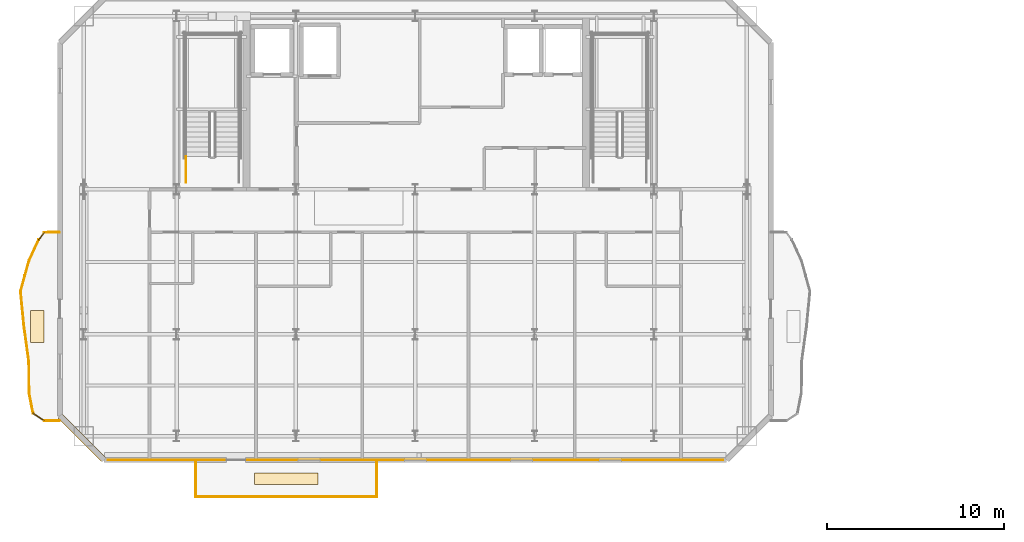
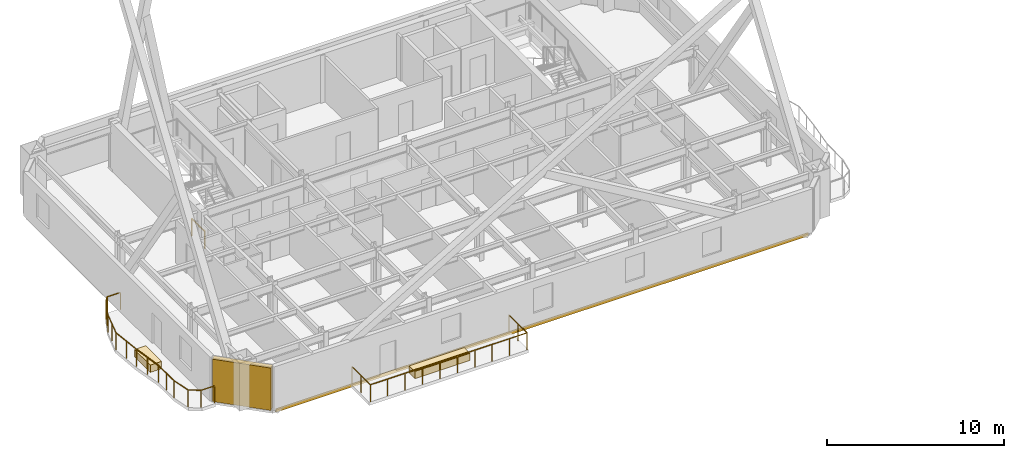
# One storey, part 15 of 19: 14 railings, 3 coverings, 1 shading device.
"""IFC4 building model written with IfcOpenShell, lengths in metres."""

import ifcopenshell
import ifcopenshell.guid

model = None  # the IFC model being written
_history = None  # IfcOwnerHistory: only IFC2X3 demands one
_inside = {}  # id of a spatial element -> (the spatial element, [elements in it])
_under = {}  # id of a project, library or spatial element -> (it, [spatial elements below it])
_declared = {}  # id of a project -> (the project, [libraries it declares])
_typed = {}  # id of a type object -> (the type object, [elements of that type])
_made_of = {}  # id of a material, layer set ... -> (it, [elements and type objects made of it])


def new_model(schema):
    """Start an empty IFC model of exactly this schema.

    Asked for "IFC4X3", IfcOpenShell would pick the latest addendum, in which some entities
    have other attributes; the version numbers below select the first issue.
    IFC2X3 requires an IfcOwnerHistory on every rooted entity: one is made here for all.
    """
    global model, _history
    if schema == "IFC4X3":
        model = ifcopenshell.file(schema_version=(4, 3, 0, 0))
    else:
        model = ifcopenshell.file(schema=schema)
    _inside.clear()
    _under.clear()
    _declared.clear()
    _typed.clear()
    _made_of.clear()
    _history = None
    if model.schema == "IFC2X3":
        org = make("IfcOrganization", Name="unknown")
        user = make(
            "IfcPersonAndOrganization",
            ThePerson=make("IfcPerson", FamilyName="unknown"),
            TheOrganization=org,
        )
        app = make(
            "IfcApplication",
            ApplicationDeveloper=org,
            Version="unknown",
            ApplicationFullName="unknown",
            ApplicationIdentifier="unknown",
        )
        _history = make(
            "IfcOwnerHistory",
            OwningUser=user,
            OwningApplication=app,
            ChangeAction="ADDED",
            CreationDate=0,
        )
    return model


def make(cls, **values):
    """One entity of the class cls with the attributes given. An attribute that is None is left unset."""
    return model.create_entity(
        cls, **{name: value for name, value in values.items() if value is not None}
    )


def rooted(cls, **values):
    """An entity with a GlobalId (a new one), such as an element, a storey or a relation."""
    return make(cls, GlobalId=ifcopenshell.guid.new(), OwnerHistory=_history, **values)


def si_unit(unit_type, name, prefix=None):
    """IfcSIUnit, for example si_unit("LENGTHUNIT", "METRE", prefix="MILLI")."""
    return make("IfcSIUnit", UnitType=unit_type, Prefix=prefix, Name=name)


def assignment(units):
    """IfcUnitAssignment: the units of a project."""
    return None if units is None else make("IfcUnitAssignment", Units=units)


def point(xyz):
    """IfcCartesianPoint."""
    return None if xyz is None else make("IfcCartesianPoint", Coordinates=xyz)


def direction(xyz):
    """IfcDirection."""
    return None if xyz is None else make("IfcDirection", DirectionRatios=xyz)


def frame(location, z_axis=None, x_axis=None):
    """IfcAxis2Placement3D, a coordinate frame: its origin and axes. An axis left out is left unset."""
    return make(
        "IfcAxis2Placement3D",
        Location=point(location),
        Axis=direction(z_axis),
        RefDirection=direction(x_axis),
    )


def frame_2d(location, x_axis=None):
    """IfcAxis2Placement2D, a coordinate frame in the plane: its origin and x axis."""
    return make(
        "IfcAxis2Placement2D", Location=point(location), RefDirection=direction(x_axis)
    )


def origin():
    """The frame at (0, 0, 0) with its axes left unset."""
    return frame((0.0, 0.0, 0.0))


def origin_2d():
    """The frame at (0, 0) in the plane with its x axis left unset."""
    return frame_2d((0.0, 0.0))


def place(relative_to, where):
    """IfcLocalPlacement: puts the frame where relative to a parent placement (None: the world)."""
    return make(
        "IfcLocalPlacement", PlacementRelTo=relative_to, RelativePlacement=where
    )


def context(
    kind, dimensions, precision=None, world=None, true_north=None, identifier=None
):
    """IfcGeometricRepresentationContext, for example the 3D "Model" context."""
    return make(
        "IfcGeometricRepresentationContext",
        ContextIdentifier=identifier,
        ContextType=kind,
        CoordinateSpaceDimension=dimensions,
        Precision=precision,
        WorldCoordinateSystem=world,
        TrueNorth=true_north,
    )


def subcontext(parent, identifier, kind, view, scale=None):
    """IfcGeometricRepresentationSubContext, for example "Body" below "Model"."""
    return make(
        "IfcGeometricRepresentationSubContext",
        ContextIdentifier=identifier,
        ContextType=kind,
        ParentContext=parent,
        TargetScale=scale,
        TargetView=view,
    )


def project(units=None, contexts=None):
    """IfcProject with its units and contexts."""
    return rooted(
        "IfcProject",
        Name="project",
        RepresentationContexts=contexts,
        UnitsInContext=assignment(units),
    )


def spatial(cls, under=None, at=None, **own):
    """A site, building, storey or space (cls), placed at a placement, below another one or the project."""
    s = rooted(cls, ObjectPlacement=at, **own)
    if under is not None:
        _under.setdefault(under.id(), (under, []))[1].append(s)
    return s


def profile(cls, at=None, kind="AREA", **sizes):
    """A parametric profile (cls). Its sizes go by their IFC names, for example OverallWidth=200.0."""
    return make(cls, ProfileType=kind, Position=at, **sizes)


def rectangle(**sizes):
    """IfcRectangleProfileDef."""
    return profile("IfcRectangleProfileDef", **sizes)


def extrude(swept, where, along, depth):
    """IfcExtrudedAreaSolid: the profile swept, set in the frame where, extruded along a direction by depth."""
    return make(
        "IfcExtrudedAreaSolid",
        SweptArea=swept,
        Position=where,
        ExtrudedDirection=direction(along),
        Depth=depth,
    )


def shape(context_of_items, identifier, shape_type, items):
    """IfcShapeRepresentation: the items that make up one representation, for example the "Body"."""
    return make(
        "IfcShapeRepresentation",
        ContextOfItems=context_of_items,
        RepresentationIdentifier=identifier,
        RepresentationType=shape_type,
        Items=items,
    )


def material(Name=None, Category=None):
    """IfcMaterial."""
    return make("IfcMaterial", Name=Name, Category=Category)


def layer(
    of_material, thickness, ventilated=None, Name=None, Category=None, Priority=None
):
    """IfcMaterialLayer: one layer of a wall or slab, of a material (None: an air gap)."""
    return make(
        "IfcMaterialLayer",
        Material=of_material,
        LayerThickness=thickness,
        IsVentilated=ventilated,
        Name=Name,
        Category=Category,
        Priority=Priority,
    )


def layer_set(layers, Name=None):
    """IfcMaterialLayerSet."""
    return make("IfcMaterialLayerSet", MaterialLayers=layers, LayerSetName=Name)


def made_of(thing, what):
    """Note that an element or type object is made of a material, layer set ...; save() writes the relation."""
    if what is not None:
        _made_of.setdefault(what.id(), (what, []))[1].append(thing)
    return thing


def type_object(cls, material=None, **own):
    """A type object (cls), such as IfcWallType, which elements share."""
    return made_of(rooted(cls, **own), material)


def element(
    cls,
    number,
    at=None,
    inside=None,
    cuts=None,
    type_object=None,
    material=None,
    context=None,
    identifier="Body",
    shape_type=None,
    held_by="IfcProductDefinitionShape",
    body=None,
    shapes=None,
    **own,
):
    """One element of the class cls, such as IfcWall. Its Tag is "e" and its number.

    at: its placement. inside: the storey or other place that contains it. cuts: it is an
    opening in that element (IfcRelVoidsElement). A single representation is given by context,
    identifier, shape_type and body (its items); several are given by shapes. held_by: the class
    of the entity that holds the representations. save() writes the other relations.
    """
    e = rooted(cls, Tag="e%d" % number, ObjectPlacement=at, **own)
    if body is not None:
        shapes = [shape(context, identifier, shape_type, body)]
    if shapes is not None:
        e.Representation = make(held_by, Representations=shapes)
    if inside is not None:
        _inside.setdefault(inside.id(), (inside, []))[1].append(e)
    if cuts is not None:
        rooted(
            "IfcRelVoidsElement", RelatingBuildingElement=cuts, RelatedOpeningElement=e
        )
    if type_object is not None:
        _typed.setdefault(type_object.id(), (type_object, []))[1].append(e)
    return made_of(e, material)


def aggregate(whole, parts):
    """IfcRelAggregates: a whole, such as a stair, and the parts it consists of."""
    return rooted("IfcRelAggregates", RelatingObject=whole, RelatedObjects=parts)


def save(model, path):
    """Write the relations noted so far, then the file.

    IfcRelAggregates (storeys below a building ...), IfcRelContainedInSpatialStructure (elements
    in a storey), IfcRelDefinesByType, IfcRelAssociatesMaterial and IfcRelDeclares: one each for
    every whole, place, type object, material and project.
    """
    for whole, parts in _under.values():
        aggregate(whole, parts)
    for where, things in _inside.values():
        rooted(
            "IfcRelContainedInSpatialStructure",
            RelatedElements=things,
            RelatingStructure=where,
        )
    for kind, things in _typed.values():
        rooted("IfcRelDefinesByType", RelatedObjects=things, RelatingType=kind)
    for what, things in _made_of.values():
        rooted("IfcRelAssociatesMaterial", RelatedObjects=things, RelatingMaterial=what)
    for by, libraries in _declared.values():
        rooted("IfcRelDeclares", RelatingContext=by, RelatedDefinitions=libraries)
    model.write(path)


model = new_model("IFC4")

# Units and contexts
model_context = context("Model", 3, precision=1e-05, world=origin(), true_north=direction((0.0, 1.0)))
body_context = subcontext(model_context, "Body", "Model", "MODEL_VIEW")
ifc_project = project(units=[si_unit("LENGTHUNIT", "METRE"), si_unit("AREAUNIT", "SQUARE_METRE"), si_unit("VOLUMEUNIT", "CUBIC_METRE"), si_unit("PLANEANGLEUNIT", "RADIAN"), si_unit("MASSUNIT", "GRAM", prefix="KILO")], contexts=[model_context])

# Site, building, storey
site_placement = place(None, origin())
site = spatial("IfcSite", under=ifc_project, at=site_placement, CompositionType="ELEMENT")
building_placement = place(site_placement, origin())
building = spatial("IfcBuilding", under=site, at=building_placement, Name="Haevon Station Towers", CompositionType="ELEMENT")
storey_placement = place(building_placement, frame((0.0, 0.0, 218.699951171875)))
storey = spatial("IfcBuildingStorey", under=building, at=storey_placement, Name="L60", CompositionType="ELEMENT", Elevation=218.699951171875)

# Covering
ifc_material_1 = material(Name="Anodised aluminium 6063-T6", Category="aluminium")
ifc_layer_1 = layer(ifc_material_1, 0.0400390625)
ifc_layer_set_1 = layer_set([ifc_layer_1], Name="Anodised aluminium 6063-T6")
covering_type_1 = type_object("IfcCoveringType", Name="COV-CLAD40", PredefinedType="CLADDING", material=ifc_layer_set_1)
covering_1_placement = place(storey_placement, frame((37.5, 22.89990234375, -0.23974609375), z_axis=(0.0, 0.0, 1.0), x_axis=(1.0, 0.0, 0.0)))
element("IfcCovering", 1, at=covering_1_placement, inside=storey, type_object=covering_type_1, Name="Tower 1 L60 Spandrel Fascia Cladding", PredefinedType="CLADDING", context=body_context, shape_type="SweptSolid", body=[
    extrude(rectangle(XDim=34.800048828125, YDim=0.0400390625, at=origin_2d()), origin(), (0.0, 0.0, 1.0), 0.239990234375),
])

# Railings
ifc_material_2 = material(Name="Steel S355", Category="steel")
railing_type_1 = type_object("IfcRailingType", Name="GRD-EXT1200", PredefinedType="GUARDRAIL", material=ifc_material_2)
railing_1_placement = place(storey_placement, frame((17.37646484375, 35.772216796875, 0.0)))
element("IfcRailing", 2, at=railing_1_placement, inside=storey, type_object=railing_type_1, Name="L60 Perimeter Guardrail 1", PredefinedType="GUARDRAIL", context=body_context, shape_type="SweptSolid", body=[
    extrude(rectangle(XDim=0.048095703125, YDim=0.048095703125, at=origin_2d()), frame((0.0, 0.0, 1.17578125), z_axis=(-0.999997476494, -0.002246554286, 0.0), x_axis=(0.002246554286, -0.999997476494, 0.0)), (0.0, 0.0, 1.0), 0.869384765625),
    extrude(rectangle(XDim=0.0419921875, YDim=0.0419921875, at=origin_2d()), origin(), (0.0, 0.0, 1.0), 1.15185546875),
    extrude(rectangle(XDim=0.0419921875, YDim=0.0419921875, at=origin_2d()), frame((-0.869384765625, -0.001953125, 0.0)), (0.0, 0.0, 1.0), 1.15185546875),
])
railing_2_placement = place(storey_placement, frame((16.507080078125, 35.770263671875, 0.0)))
element("IfcRailing", 3, at=railing_2_placement, inside=storey, type_object=railing_type_1, Name="L60 Perimeter Guardrail 2", PredefinedType="GUARDRAIL", context=body_context, shape_type="SweptSolid", body=[
    extrude(rectangle(XDim=0.048095703125, YDim=0.048095703125, at=origin_2d()), frame((0.0, 0.0, 1.17578125), z_axis=(-0.587714803792, -0.809068173521, 0.0), x_axis=(0.809068173521, -0.587714803792, 0.0)), (0.0, 0.0, 1.0), 0.508544921875),
    extrude(rectangle(XDim=0.0419921875, YDim=0.0419921875, at=origin_2d()), origin(), (0.0, 0.0, 1.0), 1.15185546875),
    extrude(rectangle(XDim=0.0419921875, YDim=0.0419921875, at=origin_2d()), frame((-0.298828125, -0.411376953125, 0.0)), (0.0, 0.0, 1.0), 1.15185546875),
])
railing_3_placement = place(storey_placement, frame((16.208251953125, 35.35888671875, 0.0)))
element("IfcRailing", 4, at=railing_3_placement, inside=storey, type_object=railing_type_1, Name="L60 Perimeter Guardrail 3", PredefinedType="GUARDRAIL", context=body_context, shape_type="SweptSolid", body=[
    extrude(rectangle(XDim=0.048095703125, YDim=0.048095703125, at=origin_2d()), frame((0.0, 0.0, 1.17578125), z_axis=(-0.423464938521, -0.90591249348, 0.0), x_axis=(0.90591249348, -0.423464938521, 0.0)), (0.0, 0.0, 1.0), 1.29150390625),
    extrude(rectangle(XDim=0.0419921875, YDim=0.0419921875, at=origin_2d()), origin(), (0.0, 0.0, 1.0), 1.15185546875),
    extrude(rectangle(XDim=0.0419921875, YDim=0.0419921875, at=origin_2d()), frame((-0.2734375, -0.5849609375, 0.0)), (0.0, 0.0, 1.0), 1.15185546875),
    extrude(rectangle(XDim=0.0419921875, YDim=0.0419921875, at=origin_2d()), frame((-0.546875, -1.169921875, 0.0)), (0.0, 0.0, 1.0), 1.15185546875),
])
railing_4_placement = place(storey_placement, frame((15.661376953125, 34.18896484375, 0.0)))
element("IfcRailing", 5, at=railing_4_placement, inside=storey, type_object=railing_type_1, Name="L60 Perimeter Guardrail 4", PredefinedType="GUARDRAIL", context=body_context, shape_type="SweptSolid", body=[
    extrude(rectangle(XDim=0.048095703125, YDim=0.048095703125, at=origin_2d()), frame((0.0, 0.0, 1.17578125), z_axis=(-0.266356811872, -0.963874498454, 0.0), x_axis=(0.963874498454, -0.266356811872, 0.0)), (0.0, 0.0, 1.0), 1.810302734375),
    extrude(rectangle(XDim=0.0419921875, YDim=0.0419921875, at=origin_2d()), origin(), (0.0, 0.0, 1.0), 1.15185546875),
    extrude(rectangle(XDim=0.0419921875, YDim=0.0419921875, at=origin_2d()), frame((-0.2412109375, -0.87255859375, 0.0)), (0.0, 0.0, 1.0), 1.15185546875),
    extrude(rectangle(XDim=0.0419921875, YDim=0.0419921875, at=origin_2d()), frame((-0.482177734375, -1.744873046875, 0.0)), (0.0, 0.0, 1.0), 1.15185546875),
])
railing_5_placement = place(storey_placement, frame((15.17919921875, 32.444091796875, 0.0)))
element("IfcRailing", 6, at=railing_5_placement, inside=storey, type_object=railing_type_1, Name="L60 Perimeter Guardrail 5", PredefinedType="GUARDRAIL", context=body_context, shape_type="SweptSolid", body=[
    extrude(rectangle(XDim=0.048095703125, YDim=0.048095703125, at=origin_2d()), frame((0.0, 0.0, 1.17578125), z_axis=(0.097718135752, -0.9952141307, 0.0), x_axis=(0.9952141307, 0.097718135752, 0.0)), (0.0, 0.0, 1.0), 2.003662109375),
    extrude(rectangle(XDim=0.0419921875, YDim=0.0419921875, at=origin_2d()), origin(), (0.0, 0.0, 1.0), 1.15185546875),
    extrude(rectangle(XDim=0.0419921875, YDim=0.0419921875, at=origin_2d()), frame((0.097900390625, -0.9970703125, 0.0)), (0.0, 0.0, 1.0), 1.15185546875),
    extrude(rectangle(XDim=0.0419921875, YDim=0.0419921875, at=origin_2d()), frame((0.19580078125, -1.994140625, 0.0)), (0.0, 0.0, 1.0), 1.15185546875),
])
railing_6_placement = place(storey_placement, frame((15.375, 30.449951171875, 0.0)))
element("IfcRailing", 7, at=railing_6_placement, inside=storey, type_object=railing_type_1, Name="L60 Perimeter Guardrail 6", PredefinedType="GUARDRAIL", context=body_context, shape_type="SweptSolid", body=[
    extrude(rectangle(XDim=0.048095703125, YDim=0.048095703125, at=origin_2d()), frame((0.0, 0.0, 1.17578125), z_axis=(0.136345171369, -0.990661392326, 0.0), x_axis=(0.990661392326, 0.136345171369, 0.0)), (0.0, 0.0, 1.0), 2.00732421875),
    extrude(rectangle(XDim=0.0419921875, YDim=0.0419921875, at=origin_2d()), origin(), (0.0, 0.0, 1.0), 1.15185546875),
    extrude(rectangle(XDim=0.0419921875, YDim=0.0419921875, at=origin_2d()), frame((0.13671875, -0.994140625, 0.0)), (0.0, 0.0, 1.0), 1.15185546875),
    extrude(rectangle(XDim=0.0419921875, YDim=0.0419921875, at=origin_2d()), frame((0.273681640625, -1.988525390625, 0.0)), (0.0, 0.0, 1.0), 1.15185546875),
])
railing_7_placement = place(storey_placement, frame((15.648681640625, 28.46142578125, 0.0)))
element("IfcRailing", 8, at=railing_7_placement, inside=storey, type_object=railing_type_1, Name="L60 Perimeter Guardrail 7", PredefinedType="GUARDRAIL", context=body_context, shape_type="SweptSolid", body=[
    extrude(rectangle(XDim=0.048095703125, YDim=0.048095703125, at=origin_2d()), frame((0.0, 0.0, 1.17578125), z_axis=(0.007252250001, -0.999973702089, 0.0), x_axis=(0.999973702089, 0.007252250001, 0.0)), (0.0, 0.0, 1.0), 1.75048828125),
    extrude(rectangle(XDim=0.0419921875, YDim=0.0419921875, at=origin_2d()), origin(), (0.0, 0.0, 1.0), 1.15185546875),
    extrude(rectangle(XDim=0.0419921875, YDim=0.0419921875, at=origin_2d()), frame((0.00634765625, -0.875244140625, 0.0)), (0.0, 0.0, 1.0), 1.15185546875),
    extrude(rectangle(XDim=0.0419921875, YDim=0.0419921875, at=origin_2d()), frame((0.0126953125, -1.75048828125, 0.0)), (0.0, 0.0, 1.0), 1.15185546875),
])
railing_8_placement = place(storey_placement, frame((15.661376953125, 26.7109375, 0.0)))
element("IfcRailing", 9, at=railing_8_placement, inside=storey, type_object=railing_type_1, Name="L60 Perimeter Guardrail 8", PredefinedType="GUARDRAIL", context=body_context, shape_type="SweptSolid", body=[
    extrude(rectangle(XDim=0.048095703125, YDim=0.048095703125, at=origin_2d()), frame((0.0, 0.0, 1.17578125), z_axis=(0.189926348496, -0.981798340876, 0.0), x_axis=(0.981798340876, 0.189926348496, 0.0)), (0.0, 0.0, 1.0), 1.191650390625),
    extrude(rectangle(XDim=0.0419921875, YDim=0.0419921875, at=origin_2d()), origin(), (0.0, 0.0, 1.0), 1.15185546875),
    extrude(rectangle(XDim=0.0419921875, YDim=0.0419921875, at=origin_2d()), frame((0.226318359375, -1.169921875, 0.0)), (0.0, 0.0, 1.0), 1.15185546875),
])
railing_9_placement = place(storey_placement, frame((15.8876953125, 25.541015625, 0.0)))
element("IfcRailing", 10, at=railing_9_placement, inside=storey, type_object=railing_type_1, Name="L60 Perimeter Guardrail 9", PredefinedType="GUARDRAIL", context=body_context, shape_type="SweptSolid", body=[
    extrude(rectangle(XDim=0.048095703125, YDim=0.048095703125, at=origin_2d()), frame((0.0, 0.0, 1.17578125), z_axis=(0.833160144028, -0.553031802343, 0.0), x_axis=(0.553031802343, 0.833160144028, 0.0)), (0.0, 0.0, 1.0), 0.743408203125),
    extrude(rectangle(XDim=0.0419921875, YDim=0.0419921875, at=origin_2d()), origin(), (0.0, 0.0, 1.0), 1.15185546875),
    extrude(rectangle(XDim=0.0419921875, YDim=0.0419921875, at=origin_2d()), frame((0.619384765625, -0.4111328125, 0.0)), (0.0, 0.0, 1.0), 1.15185546875),
])
railing_10_placement = place(storey_placement, frame((16.507080078125, 25.1298828125, 0.0)))
element("IfcRailing", 11, at=railing_10_placement, inside=storey, type_object=railing_type_1, Name="L60 Perimeter Guardrail 10", PredefinedType="GUARDRAIL", context=body_context, shape_type="SweptSolid", body=[
    extrude(rectangle(XDim=0.048095703125, YDim=0.048095703125, at=origin_2d()), frame((0.0, 0.0, 1.17578125), z_axis=(0.999997476494, -0.002246554286, 0.0), x_axis=(0.002246554286, 0.999997476494, 0.0)), (0.0, 0.0, 1.0), 0.869384765625),
    extrude(rectangle(XDim=0.0419921875, YDim=0.0419921875, at=origin_2d()), origin(), (0.0, 0.0, 1.0), 1.15185546875),
    extrude(rectangle(XDim=0.0419921875, YDim=0.0419921875, at=origin_2d()), frame((0.869384765625, -0.001953125, 0.0)), (0.0, 0.0, 1.0), 1.15185546875),
])
railing_11_placement = place(storey_placement, frame((25.078369140625, 20.81591796875, 0.0)))
element("IfcRailing", 12, at=railing_11_placement, inside=storey, type_object=railing_type_1, Name="L60 Perimeter Guardrail 1", PredefinedType="GUARDRAIL", context=body_context, shape_type="SweptSolid", body=[
    extrude(rectangle(XDim=0.048095703125, YDim=0.048095703125, at=origin_2d()), frame((0.0, 0.0, 1.17578125), z_axis=(1.0, 0.0, 0.0), x_axis=(0.0, 1.0, 0.0)), (0.0, 0.0, 1.0), 10.2431640625),
    extrude(rectangle(XDim=0.0419921875, YDim=0.0419921875, at=origin_2d()), origin(), (0.0, 0.0, 1.0), 1.15185546875),
    extrude(rectangle(XDim=0.0419921875, YDim=0.0419921875, at=origin_2d()), frame((1.13818359375, 0.0, 0.0)), (0.0, 0.0, 1.0), 1.15185546875),
    extrude(rectangle(XDim=0.0419921875, YDim=0.0419921875, at=origin_2d()), frame((2.2763671875, 0.0, 0.0)), (0.0, 0.0, 1.0), 1.15185546875),
    extrude(rectangle(XDim=0.0419921875, YDim=0.0419921875, at=origin_2d()), frame((3.414306640625, 0.0, 0.0)), (0.0, 0.0, 1.0), 1.15185546875),
    extrude(rectangle(XDim=0.0419921875, YDim=0.0419921875, at=origin_2d()), frame((4.552490234375, 0.0, 0.0)), (0.0, 0.0, 1.0), 1.15185546875),
    extrude(rectangle(XDim=0.0419921875, YDim=0.0419921875, at=origin_2d()), frame((5.690673828125, 0.0, 0.0)), (0.0, 0.0, 1.0), 1.15185546875),
    extrude(rectangle(XDim=0.0419921875, YDim=0.0419921875, at=origin_2d()), frame((6.828857421875, 0.0, 0.0)), (0.0, 0.0, 1.0), 1.15185546875),
    extrude(rectangle(XDim=0.0419921875, YDim=0.0419921875, at=origin_2d()), frame((7.966796875, 0.0, 0.0)), (0.0, 0.0, 1.0), 1.15185546875),
    extrude(rectangle(XDim=0.0419921875, YDim=0.0419921875, at=origin_2d()), frame((9.10498046875, 0.0, 0.0)), (0.0, 0.0, 1.0), 1.15185546875),
    extrude(rectangle(XDim=0.0419921875, YDim=0.0419921875, at=origin_2d()), frame((10.2431640625, 0.0, 0.0)), (0.0, 0.0, 1.0), 1.15185546875),
])
railing_12_placement = place(storey_placement, frame((35.321533203125, 20.81591796875, 0.0)))
element("IfcRailing", 13, at=railing_12_placement, inside=storey, type_object=railing_type_1, Name="L60 Perimeter Guardrail 2", PredefinedType="GUARDRAIL", context=body_context, shape_type="SweptSolid", body=[
    extrude(rectangle(XDim=0.048095703125, YDim=0.048095703125, at=origin_2d()), frame((0.0, 0.0, 1.17578125), z_axis=(0.0, 1.0, 0.0), x_axis=(-1.0, 0.0, 0.0)), (0.0, 0.0, 1.0), 2.063232421875),
    extrude(rectangle(XDim=0.0419921875, YDim=0.0419921875, at=origin_2d()), origin(), (0.0, 0.0, 1.0), 1.15185546875),
    extrude(rectangle(XDim=0.0419921875, YDim=0.0419921875, at=origin_2d()), frame((0.0, 1.03173828125, 0.0)), (0.0, 0.0, 1.0), 1.15185546875),
    extrude(rectangle(XDim=0.0419921875, YDim=0.0419921875, at=origin_2d()), frame((0.0, 2.063232421875, 0.0)), (0.0, 0.0, 1.0), 1.15185546875),
])
railing_13_placement = place(storey_placement, frame((25.078369140625, 22.879150390625, 0.0)))
element("IfcRailing", 14, at=railing_13_placement, inside=storey, type_object=railing_type_1, Name="L60 Perimeter Guardrail 3", PredefinedType="GUARDRAIL", context=body_context, shape_type="SweptSolid", body=[
    extrude(rectangle(XDim=0.048095703125, YDim=0.048095703125, at=origin_2d()), frame((0.0, 0.0, 1.17578125), z_axis=(0.0, -1.0, 0.0), x_axis=(1.0, 0.0, 0.0)), (0.0, 0.0, 1.0), 2.063232421875),
    extrude(rectangle(XDim=0.0419921875, YDim=0.0419921875, at=origin_2d()), origin(), (0.0, 0.0, 1.0), 1.15185546875),
    extrude(rectangle(XDim=0.0419921875, YDim=0.0419921875, at=origin_2d()), frame((0.0, -1.03173828125, 0.0)), (0.0, 0.0, 1.0), 1.15185546875),
    extrude(rectangle(XDim=0.0419921875, YDim=0.0419921875, at=origin_2d()), frame((0.0, -2.063232421875, 0.0)), (0.0, 0.0, 1.0), 1.15185546875),
])
railing_type_2 = type_object("IfcRailingType", Name="GRD-STR1200", PredefinedType="GUARDRAIL", material=ifc_material_2)
railing_14_placement = place(storey_placement, frame((24.530029296875, 38.60009765625, 0.0)))
element("IfcRailing", 15, at=railing_14_placement, inside=storey, type_object=railing_type_2, Name="L60 ST1 Stair Guard 9", PredefinedType="GUARDRAIL", context=body_context, shape_type="SweptSolid", body=[
    extrude(rectangle(XDim=0.048095703125, YDim=0.048095703125, at=origin_2d()), frame((0.0, 0.0, 1.17578125), z_axis=(0.0, 1.0, 0.0), x_axis=(-1.0, 0.0, 0.0)), (0.0, 0.0, 1.0), 1.449951171875),
    extrude(rectangle(XDim=0.0419921875, YDim=0.0419921875, at=origin_2d()), origin(), (0.0, 0.0, 1.0), 1.15185546875),
    extrude(rectangle(XDim=0.0419921875, YDim=0.0419921875, at=origin_2d()), frame((0.0, 1.449951171875, 0.0)), (0.0, 0.0, 1.0), 1.15185546875),
])

# Coverings
ifc_material_3 = material(Name="Architectural planter GRC", Category="concrete")
ifc_layer_2 = layer(ifc_material_3, 0.550048828125)
ifc_layer_set_2 = layer_set([ifc_layer_2], Name="Architectural planter GRC")
covering_type_2 = type_object("IfcCoveringType", Name="PLN-GRC550", PredefinedType="MOLDING", material=ifc_layer_set_2)
covering_2_placement = place(storey_placement, frame((16.11669921875, 30.449951171875, 0.0), z_axis=(0.0, 0.0, 1.0), x_axis=(1.0, 0.0, 0.0)))
element("IfcCovering", 16, at=covering_2_placement, inside=storey, type_object=covering_type_2, Name="Tower 1 L60 Scalloped Balcony PLANTER", PredefinedType="MOLDING", context=body_context, shape_type="SweptSolid", body=[
    extrude(rectangle(XDim=0.75, YDim=1.800048828125, at=origin_2d()), origin(), (0.0, 0.0, 1.0), 0.5),
])
covering_3_placement = place(storey_placement, frame((30.199951171875, 21.847412109375, 0.0), z_axis=(0.0, 0.0, 1.0), x_axis=(1.0, 0.0, 0.0)))
element("IfcCovering", 17, at=covering_3_placement, inside=storey, type_object=covering_type_2, Name="Tower 1 L60 Facade Trough PLANTER", PredefinedType="MOLDING", context=body_context, shape_type="SweptSolid", body=[
    extrude(rectangle(XDim=3.60009765625, YDim=0.64990234375, at=origin_2d()), origin(), (0.0, 0.0, 1.0), 0.5),
])

# Shading device
ifc_layer_3 = layer(ifc_material_1, 0.139892578125)
ifc_layer_set_3 = layer_set([ifc_layer_3], Name="Anodised aluminium 6063-T6")
shading_device_type = type_object("IfcShadingDeviceType", Name="SHD-WIND-BAFFLE", PredefinedType="SHUTTER", material=ifc_layer_set_3)
shading_device_placement = place(storey_placement, frame((18.64990234375, 24.14990234375, 0.05029296875), z_axis=(0.0, 0.0, 1.0), x_axis=(-0.707106781187, 0.707106781187, 0.0)))
element("IfcShadingDevice", 18, at=shading_device_placement, inside=storey, type_object=shading_device_type, Name="Tower 1 L60 Wind-Corner Aerofoil Baffle SWC", PredefinedType="SHUTTER", context=body_context, shape_type="SweptSolid", body=[
    extrude(rectangle(XDim=3.435546875, YDim=0.340087890625, at=origin_2d()), origin(), (0.0, 0.0, 1.0), 2.929931640625),
])

save(model, "model.ifc")
